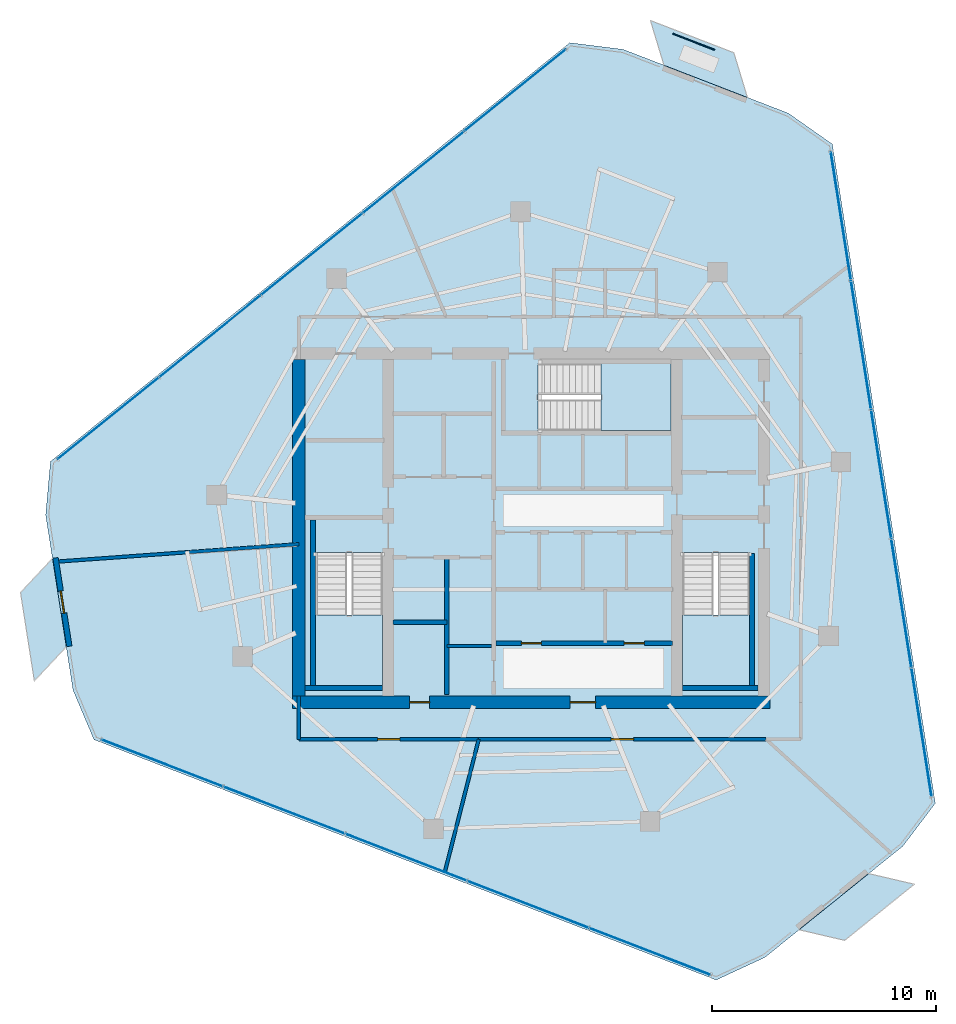
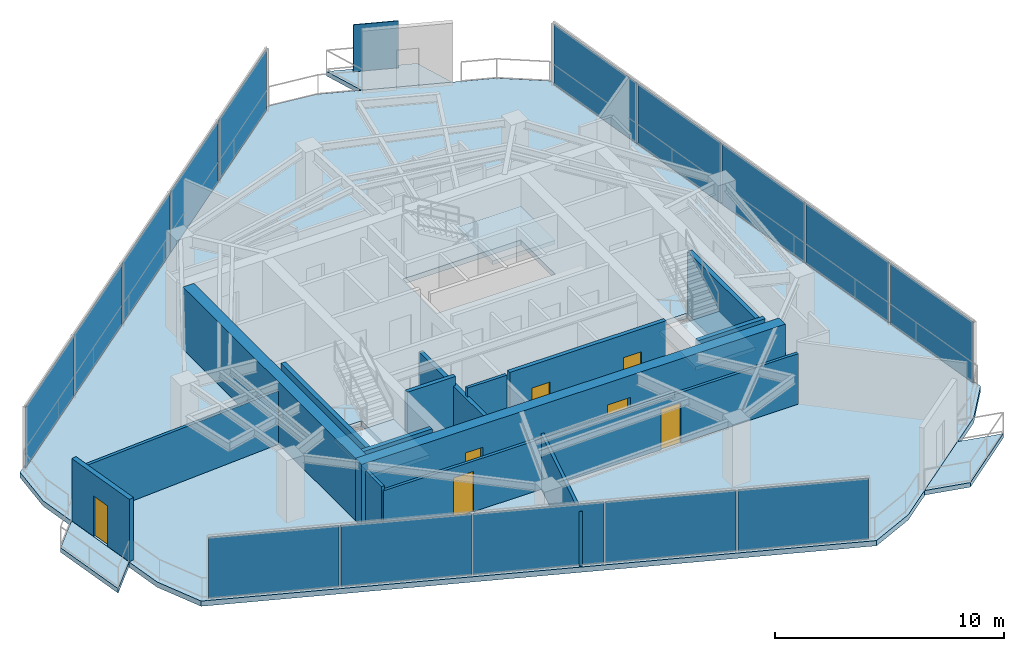
# One storey, part 15 of 19: 16 plates, 16 walls, 7 doors, 7 slabs, 7 openings, 6 elements without a shape of their own.
"""IFC4 building model written with IfcOpenShell, lengths in metres."""

from ifc_helpers import new_model, si_unit, direction, frame, frame_2d, origin, origin_2d, place, context, subcontext, project, spatial, polyline, rectangle, outline, extrude, material, layer, layer_set, type_object, element, fill, aggregate, save


model = new_model("IFC4")

# Units and contexts
model_context = context("Model", 3, precision=1e-05, world=origin(), true_north=direction((0.0, 1.0)))
body_context = subcontext(model_context, "Body", "Model", "MODEL_VIEW")
ifc_project = project(units=[si_unit("LENGTHUNIT", "METRE"), si_unit("AREAUNIT", "SQUARE_METRE"), si_unit("VOLUMEUNIT", "CUBIC_METRE"), si_unit("PLANEANGLEUNIT", "RADIAN"), si_unit("MASSUNIT", "GRAM", prefix="KILO")], contexts=[model_context])

# Site, building, storey
site_placement = place(None, origin())
site = spatial("IfcSite", under=ifc_project, at=site_placement, CompositionType="ELEMENT")
building_placement = place(site_placement, origin())
building = spatial("IfcBuilding", under=site, at=building_placement, Name="Qarnah Convention Tower", CompositionType="ELEMENT")
storey_placement = place(building_placement, frame((0.0, 0.0, 213.0)))
storey = spatial("IfcBuildingStorey", under=building, at=storey_placement, Name="L57", CompositionType="ELEMENT", Elevation=213.0)

# Curtain wall, plates
ifc_material_1 = material(Name="Tempered Low-E dark glass", Category="glass")
ifc_layer_1 = layer(ifc_material_1, 0.174072265625)
ifc_layer_set_1 = layer_set([ifc_layer_1], Name="Tempered Low-E dark glass")
curtain_wall_type = type_object("IfcCurtainWallType", Name="CWS-04", PredefinedType="NOTDEFINED", material=ifc_layer_set_1)
curtain_wall_1_placement = place(storey_placement, origin())
curtain_wall_1 = element("IfcCurtainWall", 1, at=curtain_wall_1_placement, inside=storey, type_object=curtain_wall_type, Name="L57 unitised curtain wall CW-L57-F1", PredefinedType="NOTDEFINED")
ifc_layer_2 = layer(ifc_material_1, 0.033935546875)
ifc_layer_set_2 = layer_set([ifc_layer_2], Name="Tempered Low-E dark glass")
plate_type_1 = type_object("IfcPlateType", Name="PNL-T4", PredefinedType="CURTAIN_PANEL", material=ifc_layer_set_2)
plate_1_placement = place(storey_placement, frame((42.498291015625, 7.457275390625, 0.0400390625), z_axis=(0.0, 0.0, 1.0), x_axis=(-0.932820872374, 0.360340422465, 0.0)))
plate_1 = element("IfcPlate", 2, at=plate_1_placement, type_object=plate_type_1, Name="CW-L57-F1 curtain panel 1.1", PredefinedType="CURTAIN_PANEL", context=body_context, shape_type="SweptSolid", body=[
    extrude(rectangle(XDim=5.76611328125, YDim=0.033935546875, at=origin_2d()), origin(), (0.0, 0.0, 1.0), 3.239990234375),
])
plate_2_placement = place(storey_placement, frame((37.044921875, 9.56396484375, 0.0400390625), z_axis=(0.0, 0.0, 1.0), x_axis=(-0.932820872374, 0.360340422465, 0.0)))
plate_2 = element("IfcPlate", 3, at=plate_2_placement, type_object=plate_type_1, Name="CW-L57-F1 curtain panel 2.1", PredefinedType="CURTAIN_PANEL", context=body_context, shape_type="SweptSolid", body=[
    extrude(rectangle(XDim=5.76611328125, YDim=0.033935546875, at=origin_2d()), origin(), (0.0, 0.0, 1.0), 3.239990234375),
])
plate_3_placement = place(storey_placement, frame((31.591552734375, 11.67041015625, 0.0400390625), z_axis=(0.0, 0.0, 1.0), x_axis=(-0.932820872374, 0.360340422465, 0.0)))
plate_3 = element("IfcPlate", 4, at=plate_3_placement, type_object=plate_type_1, Name="CW-L57-F1 curtain panel 3.1", PredefinedType="CURTAIN_PANEL", context=body_context, shape_type="SweptSolid", body=[
    extrude(rectangle(XDim=5.76611328125, YDim=0.033935546875, at=origin_2d()), origin(), (0.0, 0.0, 1.0), 3.239990234375),
])
plate_4_placement = place(storey_placement, frame((26.13818359375, 13.777099609375, 0.0400390625), z_axis=(0.0, 0.0, 1.0), x_axis=(-0.932820872374, 0.360340422465, 0.0)))
plate_4 = element("IfcPlate", 5, at=plate_4_placement, type_object=plate_type_1, Name="CW-L57-F1 curtain panel 4.1", PredefinedType="CURTAIN_PANEL", context=body_context, shape_type="SweptSolid", body=[
    extrude(rectangle(XDim=5.76611328125, YDim=0.033935546875, at=origin_2d()), origin(), (0.0, 0.0, 1.0), 3.239990234375),
])
plate_5_placement = place(storey_placement, frame((20.684814453125, 15.8837890625, 0.0400390625), z_axis=(0.0, 0.0, 1.0), x_axis=(-0.932820872374, 0.360340422465, 0.0)))
plate_5 = element("IfcPlate", 6, at=plate_5_placement, type_object=plate_type_1, Name="CW-L57-F1 curtain panel 5.1", PredefinedType="CURTAIN_PANEL", context=body_context, shape_type="SweptSolid", body=[
    extrude(rectangle(XDim=5.76611328125, YDim=0.033935546875, at=origin_2d()), origin(), (0.0, 0.0, 1.0), 3.239990234375),
])
aggregate(curtain_wall_1, [plate_1, plate_2, plate_3, plate_4, plate_5])

curtain_wall_2_placement = place(storey_placement, origin())
curtain_wall_2 = element("IfcCurtainWall", 7, at=curtain_wall_2_placement, inside=storey, type_object=curtain_wall_type, Name="L57 unitised curtain wall CW-L57-F2", PredefinedType="NOTDEFINED")
plate_6_placement = place(storey_placement, frame((51.0380859375, 40.35791015625, 0.0400390625), z_axis=(0.0, 0.0, 1.0), x_axis=(0.154360185403, -0.98801464218, 0.0)))
plate_6 = element("IfcPlate", 8, at=plate_6_placement, type_object=plate_type_1, Name="CW-L57-F2 curtain panel 1.1", PredefinedType="CURTAIN_PANEL", context=body_context, shape_type="SweptSolid", body=[
    extrude(rectangle(XDim=5.76611328125, YDim=0.033935546875, at=origin_2d()), origin(), (0.0, 0.0, 1.0), 3.239990234375),
])
plate_7_placement = place(storey_placement, frame((51.940673828125, 34.58203125, 0.0400390625), z_axis=(0.0, 0.0, 1.0), x_axis=(0.154360185403, -0.98801464218, 0.0)))
plate_7 = element("IfcPlate", 9, at=plate_7_placement, type_object=plate_type_1, Name="CW-L57-F2 curtain panel 2.1", PredefinedType="CURTAIN_PANEL", context=body_context, shape_type="SweptSolid", body=[
    extrude(rectangle(XDim=5.76611328125, YDim=0.033935546875, at=origin_2d()), origin(), (0.0, 0.0, 1.0), 3.239990234375),
])
plate_8_placement = place(storey_placement, frame((52.843017578125, 28.805908203125, 0.0400390625), z_axis=(0.0, 0.0, 1.0), x_axis=(0.154360185403, -0.98801464218, 0.0)))
plate_8 = element("IfcPlate", 10, at=plate_8_placement, type_object=plate_type_1, Name="CW-L57-F2 curtain panel 3.1", PredefinedType="CURTAIN_PANEL", context=body_context, shape_type="SweptSolid", body=[
    extrude(rectangle(XDim=5.76611328125, YDim=0.033935546875, at=origin_2d()), origin(), (0.0, 0.0, 1.0), 3.239990234375),
])
plate_9_placement = place(storey_placement, frame((53.745361328125, 23.030029296875, 0.0400390625), z_axis=(0.0, 0.0, 1.0), x_axis=(0.154360185403, -0.98801464218, 0.0)))
plate_9 = element("IfcPlate", 11, at=plate_9_placement, type_object=plate_type_1, Name="CW-L57-F2 curtain panel 4.1", PredefinedType="CURTAIN_PANEL", context=body_context, shape_type="SweptSolid", body=[
    extrude(rectangle(XDim=5.76611328125, YDim=0.033935546875, at=origin_2d()), origin(), (0.0, 0.0, 1.0), 3.239990234375),
])
plate_10_placement = place(storey_placement, frame((54.647705078125, 17.25390625, 0.0400390625), z_axis=(0.0, 0.0, 1.0), x_axis=(0.154360185403, -0.98801464218, 0.0)))
plate_10 = element("IfcPlate", 12, at=plate_10_placement, type_object=plate_type_1, Name="CW-L57-F2 curtain panel 5.1", PredefinedType="CURTAIN_PANEL", context=body_context, shape_type="SweptSolid", body=[
    extrude(rectangle(XDim=5.76611328125, YDim=0.033935546875, at=origin_2d()), origin(), (0.0, 0.0, 1.0), 3.239990234375),
])
aggregate(curtain_wall_2, [plate_6, plate_7, plate_8, plate_9, plate_10])

curtain_wall_3_placement = place(storey_placement, origin())
curtain_wall_3 = element("IfcCurtainWall", 13, at=curtain_wall_3_placement, inside=storey, type_object=curtain_wall_type, Name="L57 unitised curtain wall CW-L57-F3", PredefinedType="NOTDEFINED")
plate_11_placement = place(storey_placement, frame((18.276611328125, 31.3037109375, 0.0400390625), z_axis=(0.0, 0.0, 1.0), x_axis=(0.778476674692, 0.627673535336, 0.0)))
plate_11 = element("IfcPlate", 14, at=plate_11_placement, type_object=plate_type_1, Name="CW-L57-F3 curtain panel 1.1", PredefinedType="CURTAIN_PANEL", context=body_context, shape_type="SweptSolid", body=[
    extrude(rectangle(XDim=5.76611328125, YDim=0.033935546875, at=origin_2d()), origin(), (0.0, 0.0, 1.0), 3.239990234375),
])
plate_12_placement = place(storey_placement, frame((22.827392578125, 34.97314453125, 0.0400390625), z_axis=(0.0, 0.0, 1.0), x_axis=(0.778476674692, 0.627673535336, 0.0)))
plate_12 = element("IfcPlate", 15, at=plate_12_placement, type_object=plate_type_1, Name="CW-L57-F3 curtain panel 2.1", PredefinedType="CURTAIN_PANEL", context=body_context, shape_type="SweptSolid", body=[
    extrude(rectangle(XDim=5.76611328125, YDim=0.033935546875, at=origin_2d()), origin(), (0.0, 0.0, 1.0), 3.239990234375),
])
plate_13_placement = place(storey_placement, frame((27.37841796875, 38.642578125, 0.0400390625), z_axis=(0.0, 0.0, 1.0), x_axis=(0.778476674692, 0.627673535336, 0.0)))
plate_13 = element("IfcPlate", 16, at=plate_13_placement, type_object=plate_type_1, Name="CW-L57-F3 curtain panel 3.1", PredefinedType="CURTAIN_PANEL", context=body_context, shape_type="SweptSolid", body=[
    extrude(rectangle(XDim=5.76611328125, YDim=0.033935546875, at=origin_2d()), origin(), (0.0, 0.0, 1.0), 3.239990234375),
])
plate_14_placement = place(storey_placement, frame((31.929443359375, 42.31201171875, 0.0400390625), z_axis=(0.0, 0.0, 1.0), x_axis=(0.778476674692, 0.627673535336, 0.0)))
plate_14 = element("IfcPlate", 17, at=plate_14_placement, type_object=plate_type_1, Name="CW-L57-F3 curtain panel 4.1", PredefinedType="CURTAIN_PANEL", context=body_context, shape_type="SweptSolid", body=[
    extrude(rectangle(XDim=5.76611328125, YDim=0.033935546875, at=origin_2d()), origin(), (0.0, 0.0, 1.0), 3.239990234375),
])
plate_15_placement = place(storey_placement, frame((36.48046875, 45.981201171875, 0.0400390625), z_axis=(0.0, 0.0, 1.0), x_axis=(0.778476674692, 0.627673535336, 0.0)))
plate_15 = element("IfcPlate", 18, at=plate_15_placement, type_object=plate_type_1, Name="CW-L57-F3 curtain panel 5.1", PredefinedType="CURTAIN_PANEL", context=body_context, shape_type="SweptSolid", body=[
    extrude(rectangle(XDim=5.76611328125, YDim=0.033935546875, at=origin_2d()), origin(), (0.0, 0.0, 1.0), 3.239990234375),
])
aggregate(curtain_wall_3, [plate_11, plate_12, plate_13, plate_14, plate_15])

# Plate
ifc_material_2 = material(Name="Black anodised aluminium", Category="aluminium")
ifc_layer_3 = layer(ifc_material_2, 0.044921875)
ifc_layer_set_3 = layer_set([ifc_layer_3], Name="Black anodised aluminium")
plate_type_2 = type_object("IfcPlateType", Name="SCR-BAL-18", PredefinedType="USERDEFINED", material=ifc_layer_set_3)
plate_16_placement = place(storey_placement, frame((44.4560546875, 48.14208984375, 0.0), z_axis=(0.0, 0.0, 1.0), x_axis=(0.932842278916, -0.360285002001, 0.0)))
element("IfcPlate", 19, at=plate_16_placement, inside=storey, type_object=plate_type_2, Name="L57 perforated desert solar screen BAL-L57-C1", ObjectType="SCREEN", PredefinedType="USERDEFINED", context=body_context, shape_type="SweptSolid", body=[
    extrude(rectangle(XDim=2.0, YDim=0.044921875, at=origin_2d()), origin(), (0.0, 0.0, 1.0), 2.5),
])

# Slabs
ifc_material_3 = material(Name="Concrete C45/55", Category="concrete")
ifc_layer_4 = layer(ifc_material_3, 0.239990234375)
ifc_layer_set_4 = layer_set([ifc_layer_4], Name="Concrete C45/55")
slab_type_1 = type_object("IfcSlabType", Name="SLB-BAL-240", PredefinedType="USERDEFINED", material=ifc_layer_set_4)
slab_1_placement = place(storey_placement, frame((0.0, 0.0, -0.239990234375)))
element("IfcSlab", 20, at=slab_1_placement, inside=storey, type_object=slab_type_1, Name="L57 cantilevered balcony slab BAL-L57-C1", ObjectType="BALCONY", PredefinedType="USERDEFINED", context=body_context, shape_type="SweptSolid", body=[
    extrude(outline(polyline([(42.52099609375, 49.092041015625), (46.251953125, 47.65087890625), (46.860107421875, 45.64794921875), (43.12890625, 47.089111328125), (42.52099609375, 49.092041015625)])), origin(), (0.0, 0.0, 1.0), 0.239990234375),
])
slab_2_placement = place(storey_placement, frame((0.0, 0.0, -0.239990234375)))
element("IfcSlab", 21, at=slab_2_placement, inside=storey, type_object=slab_type_1, Name="L57 cantilevered balcony slab BAL-L57-C2", ObjectType="BALCONY", PredefinedType="USERDEFINED", context=body_context, shape_type="SweptSolid", body=[
    extrude(outline(polyline([(14.970947265625, 19.56005859375), (14.35302734375, 23.511962890625), (15.783935546875, 25.0390625), (16.40087890625, 21.0869140625), (14.970947265625, 19.56005859375)])), origin(), (0.0, 0.0, 1.0), 0.239990234375),
])
slab_3_placement = place(storey_placement, frame((0.0, 0.0, -0.239990234375)))
element("IfcSlab", 22, at=slab_3_placement, inside=storey, type_object=slab_type_1, Name="L57 cantilevered balcony slab BAL-L57-C3", ObjectType="BALCONY", PredefinedType="USERDEFINED", context=body_context, shape_type="SweptSolid", body=[
    extrude(outline(polyline([(54.321044921875, 10.467041015625), (51.2080078125, 7.9560546875), (49.169921875, 8.431884765625), (52.282958984375, 10.94189453125), (54.321044921875, 10.467041015625)])), origin(), (0.0, 0.0, 1.0), 0.239990234375),
])

# Stair, slab
ifc_material_4 = material(Name="Concrete C50/60", Category="concrete")
stair_type = type_object("IfcStairType", Name="STR-OFF", PredefinedType="HALF_TURN_STAIR", material=ifc_material_4)
stair_1_placement = place(storey_placement, origin())
stair_1 = element("IfcStair", 23, at=stair_1_placement, inside=storey, type_object=stair_type, Name="L57 Core exit stair ST-1", PredefinedType="HALF_TURN_STAIR")
ifc_layer_5 = layer(ifc_material_4, 0.199951171875)
ifc_layer_set_5 = layer_set([ifc_layer_5], Name="Concrete C50/60")
slab_type_2 = type_object("IfcSlabType", Name="SLB-LANDING-200", PredefinedType="LANDING", material=ifc_layer_set_5)
slab_4_placement = place(storey_placement, frame((0.0, 0.0, 1.60009765625)))
slab_4 = element("IfcSlab", 24, at=slab_4_placement, type_object=slab_type_2, Name="ST-1 landing 1", PredefinedType="LANDING", context=body_context, shape_type="SweptSolid", body=[
    extrude(outline(polyline([(27.550048828125, 22.5), (27.550048828125, 19.35009765625), (30.550048828125, 19.35009765625), (30.550048828125, 22.5), (27.550048828125, 22.5)])), origin(), (0.0, 0.0, 1.0), 0.199951171875),
])
aggregate(stair_1, [slab_4])

stair_2_placement = place(storey_placement, origin())
stair_2 = element("IfcStair", 25, at=stair_2_placement, inside=storey, type_object=stair_type, Name="L57 Core exit stair ST-2", PredefinedType="HALF_TURN_STAIR")
slab_5_placement = place(storey_placement, frame((0.0, 0.0, 1.60009765625)))
slab_5 = element("IfcSlab", 26, at=slab_5_placement, type_object=slab_type_2, Name="ST-2 landing 1", PredefinedType="LANDING", context=body_context, shape_type="SweptSolid", body=[
    extrude(outline(polyline([(43.949951171875, 22.5), (43.949951171875, 19.35009765625), (46.949951171875, 19.35009765625), (46.949951171875, 22.5), (43.949951171875, 22.5)])), origin(), (0.0, 0.0, 1.0), 0.199951171875),
])
aggregate(stair_2, [slab_5])

stair_3_placement = place(storey_placement, origin())
stair_3 = element("IfcStair", 27, at=stair_3_placement, inside=storey, type_object=stair_type, Name="L57 Core exit stair ST-3", PredefinedType="HALF_TURN_STAIR")
slab_6_placement = place(storey_placement, frame((0.0, 0.0, 1.60009765625)))
slab_6 = element("IfcSlab", 28, at=slab_6_placement, type_object=slab_type_2, Name="ST-3 landing 1", PredefinedType="LANDING", context=body_context, shape_type="SweptSolid", body=[
    extrude(outline(polyline([(40.300048828125, 30.75), (43.449951171875, 30.75), (43.449951171875, 33.75), (40.300048828125, 33.75), (40.300048828125, 30.75)])), origin(), (0.0, 0.0, 1.0), 0.199951171875),
])
aggregate(stair_3, [slab_6])

# Slab
ifc_layer_6 = layer(ifc_material_3, 0.280029296875)
ifc_layer_set_6 = layer_set([ifc_layer_6], Name="Concrete C45/55")
slab_type_3 = type_object("IfcSlabType", Name="SLB-TWR-280", PredefinedType="FLOOR", material=ifc_layer_set_6)
slab_7_placement = place(storey_placement, frame((0.0, 0.0, -0.280029296875)))
element("IfcSlab", 29, at=slab_7_placement, inside=storey, type_object=slab_type_3, Name="L57 structural floor slab", PredefinedType="FLOOR", context=body_context, shape_type="SweptSolid", body=[
    extrude(outline(polyline([(38.9140625, 48.097900390625), (15.69189453125, 29.3740234375), (15.47705078125, 26.97802734375), (16.699951171875, 19.14892578125), (17.635009765625, 16.93310546875), (45.4619140625, 6.18408203125), (47.64404296875, 7.196044921875), (53.81201171875, 12.169921875), (55.263916015625, 14.087890625), (50.658935546875, 43.56103515625), (48.69189453125, 44.945068359375), (41.300048828125, 47.800048828125), (38.9140625, 48.097900390625)]), holes=[polyline([(27.550048828125, 25.300048828125), (27.550048828125, 19.35009765625), (30.550048828125, 19.35009765625), (30.550048828125, 25.300048828125), (27.550048828125, 25.300048828125)]), polyline([(43.949951171875, 25.300048828125), (43.949951171875, 19.35009765625), (46.949951171875, 19.35009765625), (46.949951171875, 25.300048828125), (43.949951171875, 25.300048828125)]), polyline([(37.5, 30.75), (43.449951171875, 30.75), (43.449951171875, 33.75), (37.5, 33.75), (37.5, 30.75)])]), origin(), (0.0, 0.0, 1.0), 0.280029296875),
])

# Wall, openings, doors
ifc_material_5 = material(Name="Concrete C60/75", Category="concrete")
ifc_layer_7 = layer(ifc_material_5, 0.550048828125)
ifc_layer_set_7 = layer_set([ifc_layer_7], Name="Concrete C60/75")
wall_type_1 = type_object("IfcWallType", Name="WL-CORE-550", PredefinedType="SHEAR", material=ifc_layer_set_7)
wall_1_placement = place(storey_placement, frame((26.52490234375, 18.60009765625, 0.0), z_axis=(0.0, 0.0, 1.0), x_axis=(1.0, 0.0, 0.0)))
wall_1 = element("IfcWall", 30, at=wall_1_placement, inside=storey, type_object=wall_type_1, Name="L57 core south shear wall", PredefinedType="SHEAR", context=body_context, shape_type="SweptSolid", body=[
    extrude(rectangle(XDim=21.35009765625, YDim=0.550048828125, at=frame_2d((10.675048828125, 0.0))), origin(), (0.0, 0.0, 1.0), 3.320068359375),
])
opening_1_placement = place(wall_1_placement, frame((12.39990234375, 0.0, 0.0)))
opening_1 = element("IfcOpeningElement", 31, at=opening_1_placement, cuts=wall_1, Name="Opening D-5707", PredefinedType="OPENING", context=body_context, shape_type="SweptSolid", body=[
    extrude(rectangle(XDim=1.14990234375, YDim=2.14990234375, at=frame_2d((0.574951171875, 1.074951171875))), frame((0.0, 0.284912109375, 0.0), z_axis=(0.0, -1.0, 0.0), x_axis=(1.0, 0.0, 0.0)), (0.0, 0.0, 1.0), 0.570068359375),
])
opening_2_placement = place(wall_1_placement, frame((5.22509765625, 0.0, 0.0)))
opening_2 = element("IfcOpeningElement", 32, at=opening_2_placement, cuts=wall_1, Name="Opening D-5713", PredefinedType="OPENING", context=body_context, shape_type="SweptSolid", body=[
    extrude(rectangle(XDim=0.89990234375, YDim=2.10009765625, at=frame_2d((0.449951171875, 1.050048828125))), frame((0.0, 0.284912109375, 0.0), z_axis=(0.0, -1.0, 0.0), x_axis=(1.0, 0.0, 0.0)), (0.0, 0.0, 1.0), 0.570068359375),
])
ifc_material_6 = material(Name="Structural steel S355JR", Category="steel")
door_type_1 = type_object("IfcDoorType", Name="DT-LOBBY-1150", OperationType="NOTDEFINED", PredefinedType="DOOR", material=ifc_material_6)
door_1_placement = place(opening_1_placement, origin())
door_1 = element("IfcDoor", 33, at=door_1_placement, inside=storey, type_object=door_type_1, Name="Door D-5707", OperationType="SINGLE_SWING_LEFT", OverallHeight=2.14990234375, OverallWidth=1.14990234375, PredefinedType="DOOR", context=body_context, shape_type="SweptSolid", body=[
    extrude(rectangle(XDim=1.14990234375, YDim=2.14990234375, at=frame_2d((0.574951171875, 1.074951171875))), frame((0.0, 0.02490234375, 0.0), z_axis=(0.0, -1.0, 0.0), x_axis=(1.0, 0.0, 0.0)), (0.0, 0.0, 1.0), 0.050048828125),
])
fill(opening_1, door_1)
door_type_2 = type_object("IfcDoorType", Name="DT-RISER-900", OperationType="NOTDEFINED", PredefinedType="DOOR", material=ifc_material_6)
door_2_placement = place(opening_2_placement, origin())
door_2 = element("IfcDoor", 34, at=door_2_placement, inside=storey, type_object=door_type_2, Name="Door D-5713", OperationType="SINGLE_SWING_LEFT", OverallHeight=2.10009765625, OverallWidth=0.89990234375, PredefinedType="DOOR", context=body_context, shape_type="SweptSolid", body=[
    extrude(rectangle(XDim=0.89990234375, YDim=2.10009765625, at=frame_2d((0.449951171875, 1.050048828125))), frame((0.0, 0.02490234375, 0.0), z_axis=(0.0, -1.0, 0.0), x_axis=(1.0, 0.0, 0.0)), (0.0, 0.0, 1.0), 0.050048828125),
])
fill(opening_2, door_2)

# Walls
wall_2_placement = place(storey_placement, frame((26.800048828125, 18.875, 0.0), z_axis=(0.0, 0.0, 1.0), x_axis=(0.0, 1.0, 0.0)))
element("IfcWall", 35, at=wall_2_placement, inside=storey, type_object=wall_type_1, Name="L57 core west shear wall", PredefinedType="SHEAR", context=body_context, shape_type="SweptSolid", body=[
    extrude(rectangle(XDim=15.050048828125, YDim=0.550048828125, at=frame_2d((7.52490234375, 0.0))), origin(), (0.0, 0.0, 1.0), 3.320068359375),
])
ifc_layer_8 = layer(ifc_material_3, 0.199951171875)
ifc_layer_set_8 = layer_set([ifc_layer_8], Name="Concrete C45/55")
wall_type_2 = type_object("IfcWallType", Name="WL-CORE-PART-200", PredefinedType="SOLIDWALL", material=ifc_layer_set_8)
wall_3_placement = place(storey_placement, frame((33.419921875, 18.949951171875, 0.0), z_axis=(0.0, 0.0, 1.0), x_axis=(0.0, 1.0, 0.0)))
element("IfcWall", 36, at=wall_3_placement, inside=storey, type_object=wall_type_2, Name="L57 interior wall IW-L57-SVLE", PredefinedType="SOLIDWALL", context=body_context, shape_type="SweptSolid", body=[
    extrude(rectangle(XDim=6.130126953125, YDim=0.199951171875, at=frame_2d((3.06494140625, 0.0))), origin(), (0.0, 0.0, 1.0), 2.841064453125),
])
wall_4_placement = place(storey_placement, frame((31.0, 22.179931640625, 0.0), z_axis=(0.0, 0.0, 1.0), x_axis=(1.0, 0.0, 0.0)))
element("IfcWall", 37, at=wall_4_placement, inside=storey, type_object=wall_type_2, Name="L57 interior wall IW-L57-SVLS", PredefinedType="SOLIDWALL", context=body_context, shape_type="SweptSolid", body=[
    extrude(rectangle(XDim=2.419921875, YDim=0.199951171875, at=frame_2d((1.2099609375, 0.0))), origin(), (0.0, 0.0, 1.0), 3.320068359375),
])

# Wall, openings, doors
wall_5_placement = place(storey_placement, frame((35.6201171875, 21.25, 0.0), z_axis=(0.0, 0.0, 1.0), x_axis=(1.0, 0.0, 0.0)))
wall_5 = element("IfcWall", 38, at=wall_5_placement, inside=storey, type_object=wall_type_2, Name="L57 interior wall IW-L57-PLS", PredefinedType="SOLIDWALL", context=body_context, shape_type="SweptSolid", body=[
    extrude(rectangle(XDim=7.8798828125, YDim=0.199951171875, at=frame_2d((3.93994140625, 0.0))), origin(), (0.0, 0.0, 1.0), 3.320068359375),
])
opening_3_placement = place(wall_5_placement, frame((1.1298828125, 0.0, 0.0)))
opening_3 = element("IfcOpeningElement", 39, at=opening_3_placement, cuts=wall_5, Name="Opening D-5716", PredefinedType="OPENING", context=body_context, shape_type="SweptSolid", body=[
    extrude(rectangle(XDim=0.89990234375, YDim=2.10009765625, at=frame_2d((0.449951171875, 1.050048828125))), frame((0.0, 0.10986328125, 0.0), z_axis=(0.0, -1.0, 0.0), x_axis=(1.0, 0.0, 0.0)), (0.0, 0.0, 1.0), 0.219970703125),
])
opening_4_placement = place(wall_5_placement, frame((5.72998046875, 0.0, 0.0)))
opening_4 = element("IfcOpeningElement", 40, at=opening_4_placement, cuts=wall_5, Name="Opening D-5717", PredefinedType="OPENING", context=body_context, shape_type="SweptSolid", body=[
    extrude(rectangle(XDim=0.89990234375, YDim=2.10009765625, at=frame_2d((0.449951171875, 1.050048828125))), frame((0.0, 0.10986328125, 0.0), z_axis=(0.0, -1.0, 0.0), x_axis=(1.0, 0.0, 0.0)), (0.0, 0.0, 1.0), 0.219970703125),
])
door_3_placement = place(opening_3_placement, origin())
door_3 = element("IfcDoor", 41, at=door_3_placement, inside=storey, type_object=door_type_2, Name="Door D-5716", OperationType="SINGLE_SWING_RIGHT", OverallHeight=2.10009765625, OverallWidth=0.89990234375, PredefinedType="DOOR", context=body_context, shape_type="SweptSolid", body=[
    extrude(rectangle(XDim=0.89990234375, YDim=2.10009765625, at=frame_2d((0.449951171875, 1.050048828125))), frame((0.0, 0.02490234375, 0.0), z_axis=(0.0, -1.0, 0.0), x_axis=(1.0, 0.0, 0.0)), (0.0, 0.0, 1.0), 0.050048828125),
])
fill(opening_3, door_3)
door_4_placement = place(opening_4_placement, origin())
door_4 = element("IfcDoor", 42, at=door_4_placement, inside=storey, type_object=door_type_2, Name="Door D-5717", OperationType="SINGLE_SWING_LEFT", OverallHeight=2.10009765625, OverallWidth=0.89990234375, PredefinedType="DOOR", context=body_context, shape_type="SweptSolid", body=[
    extrude(rectangle(XDim=0.89990234375, YDim=2.10009765625, at=frame_2d((0.449951171875, 1.050048828125))), frame((0.0, 0.02490234375, 0.0), z_axis=(0.0, -1.0, 0.0), x_axis=(1.0, 0.0, 0.0)), (0.0, 0.0, 1.0), 0.050048828125),
])
fill(opening_4, door_4)

# Walls
ifc_layer_9 = layer(ifc_material_5, 0.219970703125)
ifc_layer_set_9 = layer_set([ifc_layer_9], Name="Concrete C60/75")
wall_type_3 = type_object("IfcWallType", Name="WL-CORE-STAIR-220", PredefinedType="SHEAR", material=ifc_layer_set_9)
wall_6_placement = place(storey_placement, frame((27.43994140625, 19.35009765625, 0.0), z_axis=(0.0, 0.0, 1.0), x_axis=(0.0, 1.0, 0.0)))
element("IfcWall", 43, at=wall_6_placement, inside=storey, type_object=wall_type_3, Name="L57 stair shaft shear wall SW-L57-ST1W", PredefinedType="SHEAR", context=body_context, shape_type="SweptSolid", body=[
    extrude(rectangle(XDim=7.39990234375, YDim=0.219970703125, at=frame_2d((3.699951171875, 0.0))), origin(), (0.0, 0.0, 1.0), 3.320068359375),
])
wall_7_placement = place(storey_placement, frame((27.074951171875, 19.239990234375, 0.0), z_axis=(0.0, 0.0, 1.0), x_axis=(1.0, 0.0, 0.0)))
element("IfcWall", 44, at=wall_7_placement, inside=storey, type_object=wall_type_3, Name="L57 stair shaft shear wall SW-L57-ST1S", PredefinedType="SHEAR", context=body_context, shape_type="SweptSolid", body=[
    extrude(rectangle(XDim=3.47509765625, YDim=0.219970703125, at=frame_2d((1.737548828125, 0.0))), origin(), (0.0, 0.0, 1.0), 3.320068359375),
])
wall_8_placement = place(storey_placement, frame((47.06005859375, 19.35009765625, 0.0), z_axis=(0.0, 0.0, 1.0), x_axis=(0.0, 1.0, 0.0)))
element("IfcWall", 45, at=wall_8_placement, inside=storey, type_object=wall_type_3, Name="L57 stair shaft shear wall SW-L57-ST2E", PredefinedType="SHEAR", context=body_context, shape_type="SweptSolid", body=[
    extrude(rectangle(XDim=5.89990234375, YDim=0.219970703125, at=frame_2d((2.949951171875, 0.0))), origin(), (0.0, 0.0, 1.0), 3.320068359375),
])
wall_9_placement = place(storey_placement, frame((43.949951171875, 19.239990234375, 0.0), z_axis=(0.0, 0.0, 1.0), x_axis=(1.0, 0.0, 0.0)))
element("IfcWall", 46, at=wall_9_placement, inside=storey, type_object=wall_type_3, Name="L57 stair shaft shear wall SW-L57-ST2S", PredefinedType="SHEAR", context=body_context, shape_type="SweptSolid", body=[
    extrude(rectangle(XDim=3.375, YDim=0.219970703125, at=frame_2d((1.6875, 0.0))), origin(), (0.0, 0.0, 1.0), 3.320068359375),
])

# Wall, opening, door
ifc_material_7 = material(Name="Precast concrete C45/55", Category="concrete")
ifc_layer_10 = layer(ifc_material_7, 0.239990234375)
ifc_layer_set_10 = layer_set([ifc_layer_10], Name="Precast concrete C45/55")
wall_type_4 = type_object("IfcWallType", Name="WL-EXT-BAL-240", PredefinedType="SOLIDWALL", material=ifc_layer_set_10)
wall_10_placement = place(storey_placement, frame((16.535888671875, 21.10888671875, 0.0), z_axis=(0.0, 0.0, 1.0), x_axis=(-0.154473693991, 0.987996901749, 0.0)))
wall_10 = element("IfcWall", 47, at=wall_10_placement, inside=storey, type_object=wall_type_4, Name="L57 loggia threshold wall BAL-L57-C2", PredefinedType="SOLIDWALL", context=body_context, shape_type="SweptSolid", body=[
    extrude(rectangle(XDim=4.000244140625, YDim=0.239990234375, at=frame_2d((2.0, 0.0))), origin(), (0.0, 0.0, 1.0), 3.320068359375),
])
opening_5_placement = place(wall_10_placement, frame((1.5, 0.0, 0.0)))
opening_5 = element("IfcOpeningElement", 48, at=opening_5_placement, cuts=wall_10, Name="Opening BD-5702", PredefinedType="OPENING", context=body_context, shape_type="SweptSolid", body=[
    extrude(rectangle(XDim=1.0, YDim=2.14990234375, at=frame_2d((0.5, 1.074951171875))), frame((0.0, 0.1298828125, 0.0), z_axis=(0.0, -1.0, 0.0), x_axis=(1.0, 0.0, 0.0)), (0.0, 0.0, 1.0), 0.260009765625),
])
door_type_3 = type_object("IfcDoorType", Name="DT-BAL-1000", OperationType="NOTDEFINED", PredefinedType="DOOR", material=ifc_material_2)
door_5_placement = place(opening_5_placement, origin())
door_5 = element("IfcDoor", 49, at=door_5_placement, inside=storey, type_object=door_type_3, Name="L57 balcony terrace door BAL-L57-C2", OperationType="SINGLE_SWING_LEFT", OverallHeight=2.14990234375, OverallWidth=1.0, PredefinedType="DOOR", context=body_context, shape_type="SweptSolid", body=[
    extrude(rectangle(XDim=1.0, YDim=2.14990234375, at=frame_2d((0.5, 1.074951171875))), frame((0.0, 0.02490234375, 0.0), z_axis=(0.0, -1.0, 0.0), x_axis=(1.0, 0.0, 0.0)), (0.0, 0.0, 1.0), 0.050048828125),
])
fill(opening_5, door_5)

# Walls
ifc_material_8 = material(Name="Gypsum partition board")
ifc_layer_11 = layer(ifc_material_8, 0.14990234375)
ifc_layer_set_11 = layer_set([ifc_layer_11], Name="Gypsum partition board")
wall_type_5 = type_object("IfcWallType", Name="WL-SUITE-150", PredefinedType="PARTITIONING", material=ifc_layer_set_11)
wall_11_placement = place(storey_placement, frame((33.419921875, 21.1201171875, 0.0), z_axis=(0.0, 0.0, 1.0), x_axis=(1.0, 0.0, 0.0)))
element("IfcWall", 50, at=wall_11_placement, inside=storey, type_object=wall_type_5, Name="L57 interior wall IW-L57-CSV1", PredefinedType="PARTITIONING", context=body_context, shape_type="SweptSolid", body=[
    extrude(rectangle(XDim=2.0, YDim=0.14990234375, at=frame_2d((1.0, 0.0))), origin(), (0.0, 0.0, 1.0), 3.320068359375),
])
wall_12_placement = place(storey_placement, frame((15.885009765625, 24.885986328125, 0.0), z_axis=(0.0, 0.0, 1.0), x_axis=(0.997409999798, 0.071925602562, 0.0)))
element("IfcWall", 51, at=wall_12_placement, inside=storey, type_object=wall_type_5, Name="L57 interior wall IW-L57-R-13", PredefinedType="PARTITIONING", context=body_context, shape_type="SweptSolid", body=[
    extrude(rectangle(XDim=10.943359375, YDim=0.14990234375, at=frame_2d((5.4716796875, 0.0))), origin(), (0.0, 0.0, 1.0), 2.841064453125),
])
wall_13_placement = place(storey_placement, frame((33.31494140625, 10.9609375, 0.0), z_axis=(0.0, 0.0, 1.0), x_axis=(0.247374566824, 0.968919926355, 0.0)))
element("IfcWall", 52, at=wall_13_placement, inside=storey, type_object=wall_type_5, Name="L57 interior wall IW-L57-R-16", PredefinedType="PARTITIONING", context=body_context, shape_type="SweptSolid", body=[
    extrude(rectangle(XDim=6.18115234375, YDim=0.14990234375, at=frame_2d((3.090576171875, 0.0))), origin(), (0.0, 0.0, 1.0), 2.905029296875),
])

# Wall, opening, door
wall_14_placement = place(storey_placement, frame((34.843994140625, 16.949951171875, 0.0), z_axis=(0.0, 0.0, 1.0), x_axis=(-1.0, 0.0, 0.0)))
wall_14 = element("IfcWall", 53, at=wall_14_placement, inside=storey, type_object=wall_type_5, Name="L57 interior wall IW-L57-R-17", PredefinedType="PARTITIONING", context=body_context, shape_type="SweptSolid", body=[
    extrude(rectangle(XDim=8.0439453125, YDim=0.14990234375, at=frame_2d((4.02197265625, 0.0))), origin(), (0.0, 0.0, 1.0), 2.697021484375),
])
opening_6_placement = place(wall_14_placement, frame((3.52197265625, 0.0, 0.0)))
opening_6 = element("IfcOpeningElement", 54, at=opening_6_placement, cuts=wall_14, Name="Opening D-5722", PredefinedType="OPENING", context=body_context, shape_type="SweptSolid", body=[
    extrude(rectangle(XDim=1.0, YDim=2.14990234375, at=frame_2d((0.5, 1.074951171875))), frame((0.0, 0.0849609375, 0.0), z_axis=(0.0, -1.0, 0.0), x_axis=(1.0, 0.0, 0.0)), (0.0, 0.0, 1.0), 0.169921875),
])
ifc_material_9 = material(Name="Oak timber veneer", Category="wood")
door_type_4 = type_object("IfcDoorType", Name="DT-OFFICE-1000", OperationType="NOTDEFINED", PredefinedType="DOOR", material=ifc_material_9)
door_6_placement = place(opening_6_placement, origin())
door_6 = element("IfcDoor", 55, at=door_6_placement, inside=storey, type_object=door_type_4, Name="Door D-5722", OperationType="SINGLE_SWING_RIGHT", OverallHeight=2.14990234375, OverallWidth=1.0, PredefinedType="DOOR", context=body_context, shape_type="SweptSolid", body=[
    extrude(rectangle(XDim=1.0, YDim=2.14990234375, at=frame_2d((0.5, 1.074951171875))), frame((0.0, 0.02490234375, 0.0), z_axis=(0.0, -1.0, 0.0), x_axis=(1.0, 0.0, 0.0)), (0.0, 0.0, 1.0), 0.050048828125),
])
fill(opening_6, door_6)

# Wall
wall_15_placement = place(storey_placement, frame((26.800048828125, 16.949951171875, 0.0), z_axis=(0.0, 0.0, 1.0), x_axis=(0.0, 1.0, 0.0)))
element("IfcWall", 56, at=wall_15_placement, inside=storey, type_object=wall_type_5, Name="L57 interior wall IW-L57-R-18", PredefinedType="PARTITIONING", context=body_context, shape_type="SweptSolid", body=[
    extrude(rectangle(XDim=1.925048828125, YDim=0.14990234375, at=frame_2d((0.96240234375, 0.0))), origin(), (0.0, 0.0, 1.0), 2.905029296875),
])

# Wall, opening, door
wall_16_placement = place(storey_placement, frame((47.695068359375, 16.949951171875, 0.0), z_axis=(0.0, 0.0, 1.0), x_axis=(-1.0, 0.0, 0.0)))
wall_16 = element("IfcWall", 57, at=wall_16_placement, inside=storey, type_object=wall_type_5, Name="L57 interior wall IW-L57-R-20", PredefinedType="PARTITIONING", context=body_context, shape_type="SweptSolid", body=[
    extrude(rectangle(XDim=12.85107421875, YDim=0.14990234375, at=frame_2d((6.425537109375, 0.0))), origin(), (0.0, 0.0, 1.0), 2.697021484375),
])
opening_7_placement = place(wall_16_placement, frame((5.926025390625, 0.0, 0.0)))
opening_7 = element("IfcOpeningElement", 58, at=opening_7_placement, cuts=wall_16, Name="Opening D-5723", PredefinedType="OPENING", context=body_context, shape_type="SweptSolid", body=[
    extrude(rectangle(XDim=1.0, YDim=2.14990234375, at=frame_2d((0.5, 1.074951171875))), frame((0.0, 0.0849609375, 0.0), z_axis=(0.0, -1.0, 0.0), x_axis=(1.0, 0.0, 0.0)), (0.0, 0.0, 1.0), 0.169921875),
])
door_7_placement = place(opening_7_placement, origin())
door_7 = element("IfcDoor", 59, at=door_7_placement, inside=storey, type_object=door_type_4, Name="Door D-5723", OperationType="SINGLE_SWING_LEFT", OverallHeight=2.14990234375, OverallWidth=1.0, PredefinedType="DOOR", context=body_context, shape_type="SweptSolid", body=[
    extrude(rectangle(XDim=1.0, YDim=2.14990234375, at=frame_2d((0.5, 1.074951171875))), frame((0.0, 0.02490234375, 0.0), z_axis=(0.0, -1.0, 0.0), x_axis=(1.0, 0.0, 0.0)), (0.0, 0.0, 1.0), 0.050048828125),
])
fill(opening_7, door_7)

save(model, "model.ifc")
